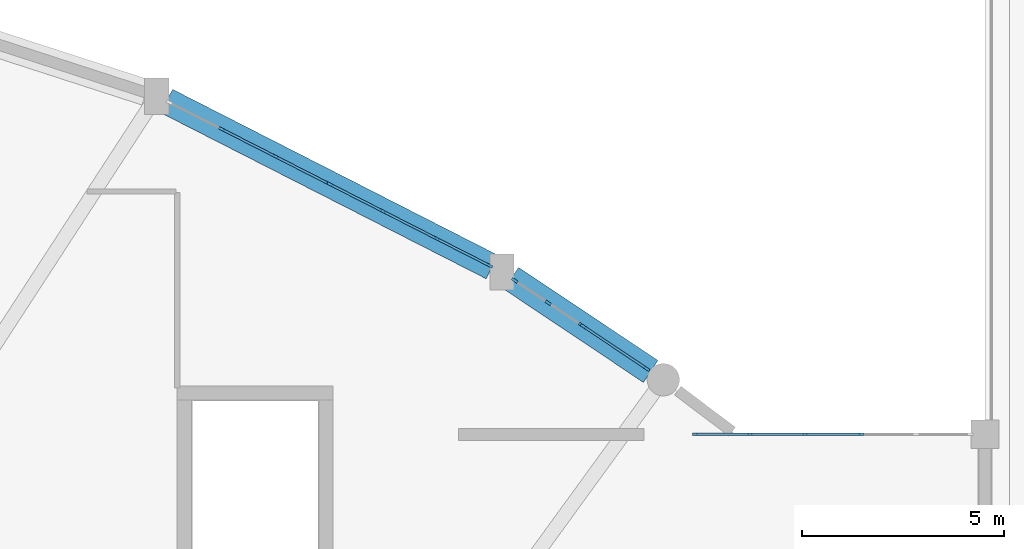
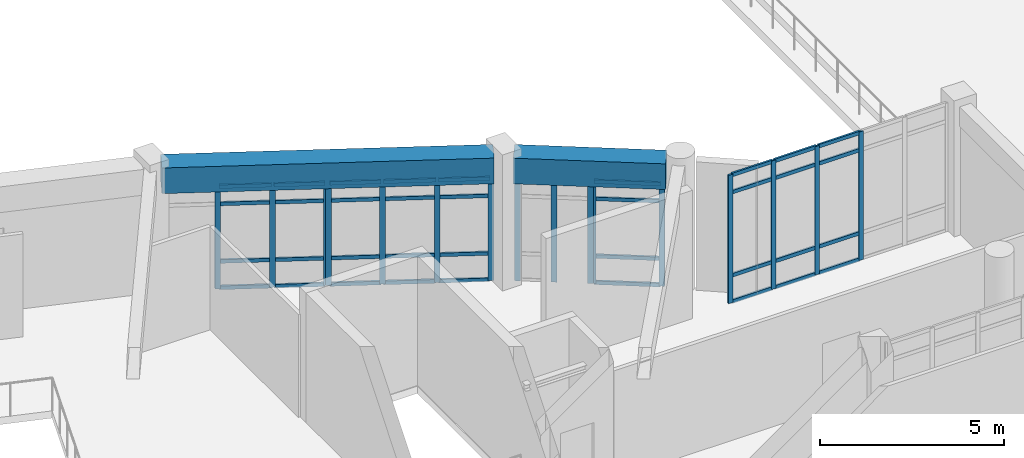
# One storey, part 19 of 54: 52 members, 2 beams, 5 elements without a shape of their own.
"""IFC4 building model written with IfcOpenShell, lengths in metres."""

from ifc_helpers import new_model, si_unit, direction, frame, origin, origin_2d, place, context, subcontext, project, spatial, rectangle, extrude, material, layer, layer_set, material_profile, profile_set, type_object, element, aggregate, save


model = new_model("IFC4")

# Units and contexts
model_context = context("Model", 3, precision=1e-05, world=origin(), true_north=direction((0.0, 1.0)))
body_context = subcontext(model_context, "Body", "Model", "MODEL_VIEW")
ifc_project = project(units=[si_unit("LENGTHUNIT", "METRE"), si_unit("AREAUNIT", "SQUARE_METRE"), si_unit("VOLUMEUNIT", "CUBIC_METRE"), si_unit("PLANEANGLEUNIT", "RADIAN"), si_unit("MASSUNIT", "GRAM", prefix="KILO")], contexts=[model_context])

# Site, building, storey
site_placement = place(None, origin())
site = spatial("IfcSite", under=ifc_project, at=site_placement, CompositionType="ELEMENT")
building_placement = place(site_placement, origin())
building = spatial("IfcBuilding", under=site, at=building_placement, Name="Miralva Faculty of Natural Sciences", CompositionType="ELEMENT")
storey_placement = place(building_placement, frame((0.0, 0.0, 19.5)))
storey = spatial("IfcBuildingStorey", under=building, at=storey_placement, Name="L04", CompositionType="ELEMENT", Elevation=19.5)

# Beams
ifc_material_1 = material(Name="Concrete C40/50", Category="concrete")
ifc_material_profile_1 = material_profile(ifc_material_1, rectangle(XDim=0.64990234375, YDim=0.85009765625, at=origin_2d()), Name="RC 650x850")
ifc_profile_set_1 = profile_set([ifc_material_profile_1], Name="Concrete C40/50")
beam_type = type_object("IfcBeamType", Name="BM-SP03", PredefinedType="SPANDREL", material=ifc_profile_set_1)
beam_1_placement = place(storey_placement, frame((125.5439453125, 28.554443359375, 3.8349609375), z_axis=(-0.831378794944, 0.555706126759, 0.0), x_axis=(-0.555706126759, -0.831378794944, 0.0)))
element("IfcBeam", 1, at=beam_1_placement, inside=storey, type_object=beam_type, Name="Curved chord girder SHOUT L04-1", PredefinedType="SPANDREL", context=body_context, shape_type="SweptSolid", body=[
    extrude(rectangle(XDim=0.64990234375, YDim=0.85009765625, at=origin_2d()), origin(), (0.0, 0.0, 1.0), 4.142822265625),
])
beam_2_placement = place(storey_placement, frame((121.6240234375, 31.135498046875, 3.8349609375), z_axis=(-0.890849035396, 0.454299456454, 0.0), x_axis=(-0.454299456454, -0.890849035396, 0.0)))
element("IfcBeam", 2, at=beam_2_placement, inside=storey, type_object=beam_type, Name="Curved chord girder SHOUT L04-2", PredefinedType="SPANDREL", context=body_context, shape_type="SweptSolid", body=[
    extrude(rectangle(XDim=0.64990234375, YDim=0.85009765625, at=origin_2d()), origin(), (0.0, 0.0, 1.0), 9.02294921875),
])

# Curtain wall, members
ifc_material_2 = material(Name="Laminated solar-control glass", Category="glass")
ifc_layer_1 = layer(ifc_material_2, 0.179931640625, Name="CW-ARC-L03")
ifc_layer_set_1 = layer_set([ifc_layer_1], Name="Laminated solar-control glass")
curtain_wall_type_1 = type_object("IfcCurtainWallType", Name="CW-ARC-L03", PredefinedType="USERDEFINED", material=ifc_layer_set_1)
curtain_wall_1_placement = place(storey_placement, origin())
curtain_wall_1 = element("IfcCurtainWall", 3, at=curtain_wall_1_placement, inside=storey, type_object=curtain_wall_type_1, Name="Curtain wall CW-03 L04-185", ObjectType="UNITISED CURTAIN WALL", PredefinedType="USERDEFINED")
ifc_material_3 = material(Name="Anodised aluminium", Category="aluminium")
ifc_material_profile_2 = material_profile(ifc_material_3, rectangle(XDim=0.06494140625, YDim=0.159912109375, at=origin_2d()), Name="MULLION 65x160")
ifc_profile_set_2 = profile_set([ifc_material_profile_2], Name="Anodised aluminium")
member_type_1 = type_object("IfcMemberType", Name="CW-M02", PredefinedType="MULLION", material=ifc_profile_set_2)
member_1_placement = place(storey_placement, frame((114.952392578125, 34.537109375, 0.0), z_axis=(0.0, 0.0, 1.0), x_axis=(0.453973358631, 0.891015257812, 0.0)))
member_1 = element("IfcMember", 4, at=member_1_placement, type_object=member_type_1, Name="CW-03 mullion 2", PredefinedType="MULLION", context=body_context, shape_type="SweptSolid", body=[
    extrude(rectangle(XDim=0.06494140625, YDim=0.159912109375, at=origin_2d()), origin(), (0.0, 0.0, 1.0), 3.405029296875),
])
member_2_placement = place(storey_placement, frame((116.2802734375, 33.8603515625, 0.0), z_axis=(0.0, 0.0, 1.0), x_axis=(0.453973358631, 0.891015257812, 0.0)))
member_2 = element("IfcMember", 5, at=member_2_placement, type_object=member_type_1, Name="CW-03 mullion 3", PredefinedType="MULLION", context=body_context, shape_type="SweptSolid", body=[
    extrude(rectangle(XDim=0.06494140625, YDim=0.159912109375, at=origin_2d()), origin(), (0.0, 0.0, 1.0), 3.405029296875),
])
member_3_placement = place(storey_placement, frame((117.5791015625, 33.19873046875, 0.0), z_axis=(0.0, 0.0, 1.0), x_axis=(0.453973358631, 0.891015257812, 0.0)))
member_3 = element("IfcMember", 6, at=member_3_placement, type_object=member_type_1, Name="CW-03 mullion 4", PredefinedType="MULLION", context=body_context, shape_type="SweptSolid", body=[
    extrude(rectangle(XDim=0.06494140625, YDim=0.159912109375, at=origin_2d()), origin(), (0.0, 0.0, 1.0), 3.405029296875),
])

curtain_wall_2_placement = place(storey_placement, origin())
curtain_wall_2 = element("IfcCurtainWall", 7, at=curtain_wall_2_placement, inside=storey, type_object=curtain_wall_type_1, Name="Curtain wall CW-03 L04-186", ObjectType="UNITISED CURTAIN WALL", PredefinedType="USERDEFINED")
member_4_placement = place(storey_placement, frame((117.632568359375, 33.17138671875, 0.0), z_axis=(0.0, 0.0, 1.0), x_axis=(0.454001417532, 0.891000961211, 0.0)))
member_4 = element("IfcMember", 8, at=member_4_placement, type_object=member_type_1, Name="CW-03 mullion 1", PredefinedType="MULLION", context=body_context, shape_type="SweptSolid", body=[
    extrude(rectangle(XDim=0.06494140625, YDim=0.159912109375, at=origin_2d()), origin(), (0.0, 0.0, 1.0), 3.405029296875),
])
member_5_placement = place(storey_placement, frame((118.932861328125, 32.5087890625, 0.0), z_axis=(0.0, 0.0, 1.0), x_axis=(0.454001417532, 0.891000961211, 0.0)))
member_5 = element("IfcMember", 9, at=member_5_placement, type_object=member_type_1, Name="CW-03 mullion 2", PredefinedType="MULLION", context=body_context, shape_type="SweptSolid", body=[
    extrude(rectangle(XDim=0.06494140625, YDim=0.159912109375, at=origin_2d()), origin(), (0.0, 0.0, 1.0), 3.405029296875),
])
member_6_placement = place(storey_placement, frame((120.262451171875, 31.83154296875, 0.0), z_axis=(0.0, 0.0, 1.0), x_axis=(0.454001417532, 0.891000961211, 0.0)))
member_6 = element("IfcMember", 10, at=member_6_placement, type_object=member_type_1, Name="CW-03 mullion 3", PredefinedType="MULLION", context=body_context, shape_type="SweptSolid", body=[
    extrude(rectangle(XDim=0.06494140625, YDim=0.159912109375, at=origin_2d()), origin(), (0.0, 0.0, 1.0), 3.405029296875),
])
member_7_placement = place(storey_placement, frame((121.562744140625, 31.1689453125, 0.0), z_axis=(0.0, 0.0, 1.0), x_axis=(0.454001417532, 0.891000961211, 0.0)))
member_7 = element("IfcMember", 11, at=member_7_placement, type_object=member_type_1, Name="CW-03 mullion 4", PredefinedType="MULLION", context=body_context, shape_type="SweptSolid", body=[
    extrude(rectangle(XDim=0.06494140625, YDim=0.159912109375, at=origin_2d()), origin(), (0.0, 0.0, 1.0), 3.405029296875),
])

curtain_wall_3_placement = place(storey_placement, origin())
curtain_wall_3 = element("IfcCurtainWall", 12, at=curtain_wall_3_placement, inside=storey, type_object=curtain_wall_type_1, Name="Curtain wall CW-03 L04-187", ObjectType="UNITISED CURTAIN WALL", PredefinedType="USERDEFINED")
member_8_placement = place(storey_placement, frame((122.186279296875, 30.80126953125, 0.0), z_axis=(0.0, 0.0, 1.0), x_axis=(0.555589230409, 0.831456918339, 0.0)))
member_8 = element("IfcMember", 13, at=member_8_placement, type_object=member_type_1, Name="CW-03 mullion 1", PredefinedType="MULLION", context=body_context, shape_type="SweptSolid", body=[
    extrude(rectangle(XDim=0.06494140625, YDim=0.159912109375, at=origin_2d()), origin(), (0.0, 0.0, 1.0), 3.405029296875),
])
member_9_placement = place(storey_placement, frame((123.011474609375, 30.25, 0.0), z_axis=(0.0, 0.0, 1.0), x_axis=(0.555589230409, 0.831456918339, 0.0)))
member_9 = element("IfcMember", 14, at=member_9_placement, type_object=member_type_1, Name="CW-03 mullion 2", PredefinedType="MULLION", context=body_context, shape_type="SweptSolid", body=[
    extrude(rectangle(XDim=0.06494140625, YDim=0.159912109375, at=origin_2d()), origin(), (0.0, 0.0, 1.0), 3.405029296875),
])
member_10_placement = place(storey_placement, frame((123.836669921875, 29.698486328125, 0.0), z_axis=(0.0, 0.0, 1.0), x_axis=(0.555589230409, 0.831456918339, 0.0)))
member_10 = element("IfcMember", 15, at=member_10_placement, type_object=member_type_1, Name="CW-03 mullion 3", PredefinedType="MULLION", context=body_context, shape_type="SweptSolid", body=[
    extrude(rectangle(XDim=0.06494140625, YDim=0.159912109375, at=origin_2d()), origin(), (0.0, 0.0, 1.0), 3.405029296875),
])
aggregate(curtain_wall_3, [member_8, member_9, member_10])

curtain_wall_4_placement = place(storey_placement, origin())
curtain_wall_4 = element("IfcCurtainWall", 16, at=curtain_wall_4_placement, inside=storey, type_object=curtain_wall_type_1, Name="Curtain wall CW-03 L04-188", ObjectType="UNITISED CURTAIN WALL", PredefinedType="USERDEFINED")
member_11_placement = place(storey_placement, frame((123.886474609375, 29.665283203125, 0.0), z_axis=(0.0, 0.0, 1.0), x_axis=(0.555546724404, 0.831485319776, 0.0)))
member_11 = element("IfcMember", 17, at=member_11_placement, type_object=member_type_1, Name="CW-03 mullion 1", PredefinedType="MULLION", context=body_context, shape_type="SweptSolid", body=[
    extrude(rectangle(XDim=0.06494140625, YDim=0.159912109375, at=origin_2d()), origin(), (0.0, 0.0, 1.0), 3.405029296875),
])
member_12_placement = place(storey_placement, frame((125.441162109375, 28.62646484375, 0.0), z_axis=(0.0, 0.0, 1.0), x_axis=(0.555546724404, 0.831485319776, 0.0)))
member_12 = element("IfcMember", 18, at=member_12_placement, type_object=member_type_1, Name="CW-03 mullion 2", PredefinedType="MULLION", context=body_context, shape_type="SweptSolid", body=[
    extrude(rectangle(XDim=0.06494140625, YDim=0.159912109375, at=origin_2d()), origin(), (0.0, 0.0, 1.0), 3.405029296875),
])

ifc_layer_2 = layer(ifc_material_2, 0.179931640625, Name="CW-COM-L01")
ifc_layer_set_2 = layer_set([ifc_layer_2], Name="Laminated solar-control glass")
curtain_wall_type_2 = type_object("IfcCurtainWallType", Name="CW-COM-L01", PredefinedType="USERDEFINED", material=ifc_layer_set_2)
curtain_wall_5_placement = place(storey_placement, origin())
curtain_wall_5 = element("IfcCurtainWall", 19, at=curtain_wall_5_placement, inside=storey, type_object=curtain_wall_type_2, Name="Curtain wall CW-10 L04-311", ObjectType="UNITISED CURTAIN WALL", PredefinedType="USERDEFINED")
ifc_material_profile_3 = material_profile(ifc_material_3, rectangle(XDim=0.06005859375, YDim=0.139892578125, at=origin_2d()), Name="MULLION 60x140")
ifc_profile_set_3 = profile_set([ifc_material_profile_3], Name="Anodised aluminium")
member_type_2 = type_object("IfcMemberType", Name="CW-M03", PredefinedType="MULLION", material=ifc_profile_set_3)
member_13_placement = place(storey_placement, frame((126.64990234375, 27.0, 0.0), z_axis=(0.0, 0.0, 1.0), x_axis=(0.0, 1.0, 0.0)))
member_13 = element("IfcMember", 20, at=member_13_placement, type_object=member_type_2, Name="CW-10 mullion 1", PredefinedType="MULLION", context=body_context, shape_type="SweptSolid", body=[
    extrude(rectangle(XDim=0.06005859375, YDim=0.139892578125, at=origin_2d()), origin(), (0.0, 0.0, 1.0), 4.25),
])
member_14_placement = place(storey_placement, frame((127.989013671875, 27.0, 0.0), z_axis=(0.0, 0.0, 1.0), x_axis=(0.0, 1.0, 0.0)))
member_14 = element("IfcMember", 21, at=member_14_placement, type_object=member_type_2, Name="CW-10 mullion 2", PredefinedType="MULLION", context=body_context, shape_type="SweptSolid", body=[
    extrude(rectangle(XDim=0.06005859375, YDim=0.139892578125, at=origin_2d()), origin(), (0.0, 0.0, 1.0), 4.25),
])
member_15_placement = place(storey_placement, frame((129.35791015625, 27.0, 0.0), z_axis=(0.0, 0.0, 1.0), x_axis=(0.0, 1.0, 0.0)))
member_15 = element("IfcMember", 22, at=member_15_placement, type_object=member_type_2, Name="CW-10 mullion 3", PredefinedType="MULLION", context=body_context, shape_type="SweptSolid", body=[
    extrude(rectangle(XDim=0.06005859375, YDim=0.139892578125, at=origin_2d()), origin(), (0.0, 0.0, 1.0), 4.25),
])
member_16_placement = place(storey_placement, frame((130.72705078125, 27.0, 0.0), z_axis=(0.0, 0.0, 1.0), x_axis=(0.0, 1.0, 0.0)))
member_16 = element("IfcMember", 23, at=member_16_placement, type_object=member_type_2, Name="CW-10 mullion 4", PredefinedType="MULLION", context=body_context, shape_type="SweptSolid", body=[
    extrude(rectangle(XDim=0.06005859375, YDim=0.139892578125, at=origin_2d()), origin(), (0.0, 0.0, 1.0), 4.25),
])

# Member
ifc_material_profile_4 = material_profile(ifc_material_3, rectangle(XDim=0.06005859375, YDim=0.1201171875, at=origin_2d()), Name="TRANSOM 60x120")
ifc_profile_set_4 = profile_set([ifc_material_profile_4], Name="Anodised aluminium")
member_type_3 = type_object("IfcMemberType", Name="CW-T02", PredefinedType="USERDEFINED", material=ifc_profile_set_4)
member_17_placement = place(storey_placement, frame((114.981201171875, 34.522216796875, 0.030029296875), z_axis=(0.891044725517, -0.453915517612, 0.0), x_axis=(0.453915517612, 0.891044725517, 0.0)))
member_17 = element("IfcMember", 24, at=member_17_placement, type_object=member_type_3, Name="CW-03 transom 2.1", ObjectType="TRANSOM", PredefinedType="USERDEFINED", context=body_context, shape_type="SweptSolid", body=[
    extrude(rectangle(XDim=0.06005859375, YDim=0.1201171875, at=origin_2d()), origin(), (0.0, 0.0, 1.0), 1.42529296875),
])

member_18_placement = place(storey_placement, frame((114.981201171875, 34.522216796875, 0.89990234375), z_axis=(0.891044725517, -0.453915517612, 0.0), x_axis=(0.453915517612, 0.891044725517, 0.0)))
member_18 = element("IfcMember", 25, at=member_18_placement, type_object=member_type_3, Name="CW-03 transom 2.2", ObjectType="TRANSOM", PredefinedType="USERDEFINED", context=body_context, shape_type="SweptSolid", body=[
    extrude(rectangle(XDim=0.06005859375, YDim=0.1201171875, at=origin_2d()), origin(), (0.0, 0.0, 1.0), 1.42529296875),
])

member_19_placement = place(storey_placement, frame((114.981201171875, 34.522216796875, 2.804931640625), z_axis=(0.891044725517, -0.453915517612, 0.0), x_axis=(0.453915517612, 0.891044725517, 0.0)))
member_19 = element("IfcMember", 26, at=member_19_placement, type_object=member_type_3, Name="CW-03 transom 2.3", ObjectType="TRANSOM", PredefinedType="USERDEFINED", context=body_context, shape_type="SweptSolid", body=[
    extrude(rectangle(XDim=0.06005859375, YDim=0.1201171875, at=origin_2d()), origin(), (0.0, 0.0, 1.0), 1.42529296875),
])

member_20_placement = place(storey_placement, frame((114.981201171875, 34.522216796875, 3.375), z_axis=(0.891044725517, -0.453915517612, 0.0), x_axis=(0.453915517612, 0.891044725517, 0.0)))
member_20 = element("IfcMember", 27, at=member_20_placement, type_object=member_type_3, Name="CW-03 transom 2.4", ObjectType="TRANSOM", PredefinedType="USERDEFINED", context=body_context, shape_type="SweptSolid", body=[
    extrude(rectangle(XDim=0.06005859375, YDim=0.1201171875, at=origin_2d()), origin(), (0.0, 0.0, 1.0), 1.42529296875),
])

member_21_placement = place(storey_placement, frame((116.30908203125, 33.845703125, 0.030029296875), z_axis=(0.89103682183, -0.453931032364, 0.0), x_axis=(0.453931032364, 0.89103682183, 0.0)))
member_21 = element("IfcMember", 28, at=member_21_placement, type_object=member_type_3, Name="CW-03 transom 3.1", ObjectType="TRANSOM", PredefinedType="USERDEFINED", context=body_context, shape_type="SweptSolid", body=[
    extrude(rectangle(XDim=0.06005859375, YDim=0.1201171875, at=origin_2d()), origin(), (0.0, 0.0, 1.0), 1.39306640625),
])

member_22_placement = place(storey_placement, frame((116.30908203125, 33.845703125, 0.89990234375), z_axis=(0.89103682183, -0.453931032364, 0.0), x_axis=(0.453931032364, 0.89103682183, 0.0)))
member_22 = element("IfcMember", 29, at=member_22_placement, type_object=member_type_3, Name="CW-03 transom 3.2", ObjectType="TRANSOM", PredefinedType="USERDEFINED", context=body_context, shape_type="SweptSolid", body=[
    extrude(rectangle(XDim=0.06005859375, YDim=0.1201171875, at=origin_2d()), origin(), (0.0, 0.0, 1.0), 1.39306640625),
])

member_23_placement = place(storey_placement, frame((116.30908203125, 33.845703125, 2.804931640625), z_axis=(0.89103682183, -0.453931032364, 0.0), x_axis=(0.453931032364, 0.89103682183, 0.0)))
member_23 = element("IfcMember", 30, at=member_23_placement, type_object=member_type_3, Name="CW-03 transom 3.3", ObjectType="TRANSOM", PredefinedType="USERDEFINED", context=body_context, shape_type="SweptSolid", body=[
    extrude(rectangle(XDim=0.06005859375, YDim=0.1201171875, at=origin_2d()), origin(), (0.0, 0.0, 1.0), 1.39306640625),
])

member_24_placement = place(storey_placement, frame((116.30908203125, 33.845703125, 3.375), z_axis=(0.89103682183, -0.453931032364, 0.0), x_axis=(0.453931032364, 0.89103682183, 0.0)))
member_24 = element("IfcMember", 31, at=member_24_placement, type_object=member_type_3, Name="CW-03 transom 3.4", ObjectType="TRANSOM", PredefinedType="USERDEFINED", context=body_context, shape_type="SweptSolid", body=[
    extrude(rectangle(XDim=0.06005859375, YDim=0.1201171875, at=origin_2d()), origin(), (0.0, 0.0, 1.0), 1.39306640625),
])

aggregate(curtain_wall_1, [member_1, member_2, member_3, member_17, member_18, member_19, member_20, member_21, member_22, member_23, member_24])

member_25_placement = place(storey_placement, frame((117.66162109375, 33.15673828125, 0.030029296875), z_axis=(0.891004754487, -0.453993972958, 0.0), x_axis=(0.453993972958, 0.891004754487, 0.0)))
member_25 = element("IfcMember", 32, at=member_25_placement, type_object=member_type_3, Name="CW-03 transom 1.1", ObjectType="TRANSOM", PredefinedType="USERDEFINED", context=body_context, shape_type="SweptSolid", body=[
    extrude(rectangle(XDim=0.06005859375, YDim=0.1201171875, at=origin_2d()), origin(), (0.0, 0.0, 1.0), 1.39453125),
])

member_26_placement = place(storey_placement, frame((117.66162109375, 33.15673828125, 0.89990234375), z_axis=(0.891004754487, -0.453993972958, 0.0), x_axis=(0.453993972958, 0.891004754487, 0.0)))
member_26 = element("IfcMember", 33, at=member_26_placement, type_object=member_type_3, Name="CW-03 transom 1.2", ObjectType="TRANSOM", PredefinedType="USERDEFINED", context=body_context, shape_type="SweptSolid", body=[
    extrude(rectangle(XDim=0.06005859375, YDim=0.1201171875, at=origin_2d()), origin(), (0.0, 0.0, 1.0), 1.39453125),
])

member_27_placement = place(storey_placement, frame((117.66162109375, 33.15673828125, 2.804931640625), z_axis=(0.891004754487, -0.453993972958, 0.0), x_axis=(0.453993972958, 0.891004754487, 0.0)))
member_27 = element("IfcMember", 34, at=member_27_placement, type_object=member_type_3, Name="CW-03 transom 1.3", ObjectType="TRANSOM", PredefinedType="USERDEFINED", context=body_context, shape_type="SweptSolid", body=[
    extrude(rectangle(XDim=0.06005859375, YDim=0.1201171875, at=origin_2d()), origin(), (0.0, 0.0, 1.0), 1.39453125),
])

member_28_placement = place(storey_placement, frame((117.66162109375, 33.15673828125, 3.375), z_axis=(0.891004754487, -0.453993972958, 0.0), x_axis=(0.453993972958, 0.891004754487, 0.0)))
member_28 = element("IfcMember", 35, at=member_28_placement, type_object=member_type_3, Name="CW-03 transom 1.4", ObjectType="TRANSOM", PredefinedType="USERDEFINED", context=body_context, shape_type="SweptSolid", body=[
    extrude(rectangle(XDim=0.06005859375, YDim=0.1201171875, at=origin_2d()), origin(), (0.0, 0.0, 1.0), 1.39453125),
])

member_29_placement = place(storey_placement, frame((118.9619140625, 32.494140625, 0.030029296875), z_axis=(0.890979432498, -0.454043666254, 0.0), x_axis=(0.454043666254, 0.890979432498, 0.0)))
member_29 = element("IfcMember", 36, at=member_29_placement, type_object=member_type_3, Name="CW-03 transom 2.1", ObjectType="TRANSOM", PredefinedType="USERDEFINED", context=body_context, shape_type="SweptSolid", body=[
    extrude(rectangle(XDim=0.06005859375, YDim=0.1201171875, at=origin_2d()), origin(), (0.0, 0.0, 1.0), 1.427001953125),
])

member_30_placement = place(storey_placement, frame((118.9619140625, 32.494140625, 0.89990234375), z_axis=(0.890979432498, -0.454043666254, 0.0), x_axis=(0.454043666254, 0.890979432498, 0.0)))
member_30 = element("IfcMember", 37, at=member_30_placement, type_object=member_type_3, Name="CW-03 transom 2.2", ObjectType="TRANSOM", PredefinedType="USERDEFINED", context=body_context, shape_type="SweptSolid", body=[
    extrude(rectangle(XDim=0.06005859375, YDim=0.1201171875, at=origin_2d()), origin(), (0.0, 0.0, 1.0), 1.427001953125),
])

member_31_placement = place(storey_placement, frame((118.9619140625, 32.494140625, 2.804931640625), z_axis=(0.890979432498, -0.454043666254, 0.0), x_axis=(0.454043666254, 0.890979432498, 0.0)))
member_31 = element("IfcMember", 38, at=member_31_placement, type_object=member_type_3, Name="CW-03 transom 2.3", ObjectType="TRANSOM", PredefinedType="USERDEFINED", context=body_context, shape_type="SweptSolid", body=[
    extrude(rectangle(XDim=0.06005859375, YDim=0.1201171875, at=origin_2d()), origin(), (0.0, 0.0, 1.0), 1.427001953125),
])

member_32_placement = place(storey_placement, frame((118.9619140625, 32.494140625, 3.375), z_axis=(0.890979432498, -0.454043666254, 0.0), x_axis=(0.454043666254, 0.890979432498, 0.0)))
member_32 = element("IfcMember", 39, at=member_32_placement, type_object=member_type_3, Name="CW-03 transom 2.4", ObjectType="TRANSOM", PredefinedType="USERDEFINED", context=body_context, shape_type="SweptSolid", body=[
    extrude(rectangle(XDim=0.06005859375, YDim=0.1201171875, at=origin_2d()), origin(), (0.0, 0.0, 1.0), 1.427001953125),
])

member_33_placement = place(storey_placement, frame((120.291259765625, 31.816650390625, 0.030029296875), z_axis=(0.891004754487, -0.453993972958, 0.0), x_axis=(0.453993972958, 0.891004754487, 0.0)))
member_33 = element("IfcMember", 40, at=member_33_placement, type_object=member_type_3, Name="CW-03 transom 3.1", ObjectType="TRANSOM", PredefinedType="USERDEFINED", context=body_context, shape_type="SweptSolid", body=[
    extrude(rectangle(XDim=0.06005859375, YDim=0.1201171875, at=origin_2d()), origin(), (0.0, 0.0, 1.0), 1.39453125),
])

member_34_placement = place(storey_placement, frame((120.291259765625, 31.816650390625, 0.89990234375), z_axis=(0.891004754487, -0.453993972958, 0.0), x_axis=(0.453993972958, 0.891004754487, 0.0)))
member_34 = element("IfcMember", 41, at=member_34_placement, type_object=member_type_3, Name="CW-03 transom 3.2", ObjectType="TRANSOM", PredefinedType="USERDEFINED", context=body_context, shape_type="SweptSolid", body=[
    extrude(rectangle(XDim=0.06005859375, YDim=0.1201171875, at=origin_2d()), origin(), (0.0, 0.0, 1.0), 1.39453125),
])

member_35_placement = place(storey_placement, frame((120.291259765625, 31.816650390625, 2.804931640625), z_axis=(0.891004754487, -0.453993972958, 0.0), x_axis=(0.453993972958, 0.891004754487, 0.0)))
member_35 = element("IfcMember", 42, at=member_35_placement, type_object=member_type_3, Name="CW-03 transom 3.3", ObjectType="TRANSOM", PredefinedType="USERDEFINED", context=body_context, shape_type="SweptSolid", body=[
    extrude(rectangle(XDim=0.06005859375, YDim=0.1201171875, at=origin_2d()), origin(), (0.0, 0.0, 1.0), 1.39453125),
])

member_36_placement = place(storey_placement, frame((120.291259765625, 31.816650390625, 3.375), z_axis=(0.891004754487, -0.453993972958, 0.0), x_axis=(0.453993972958, 0.891004754487, 0.0)))
member_36 = element("IfcMember", 43, at=member_36_placement, type_object=member_type_3, Name="CW-03 transom 3.4", ObjectType="TRANSOM", PredefinedType="USERDEFINED", context=body_context, shape_type="SweptSolid", body=[
    extrude(rectangle(XDim=0.06005859375, YDim=0.1201171875, at=origin_2d()), origin(), (0.0, 0.0, 1.0), 1.39453125),
])

aggregate(curtain_wall_2, [member_4, member_5, member_6, member_7, member_25, member_26, member_27, member_28, member_29, member_30, member_31, member_32, member_33, member_34, member_35, member_36])

member_37_placement = place(storey_placement, frame((123.91357421875, 29.647216796875, 0.030029296875), z_axis=(0.831487987991, -0.555542730874, 0.0), x_axis=(0.555542730874, 0.831487987991, 0.0)))
member_37 = element("IfcMember", 44, at=member_37_placement, type_object=member_type_3, Name="CW-03 transom 1.1", ObjectType="TRANSOM", PredefinedType="USERDEFINED", context=body_context, shape_type="SweptSolid", body=[
    extrude(rectangle(XDim=0.06005859375, YDim=0.1201171875, at=origin_2d()), origin(), (0.0, 0.0, 1.0), 1.804931640625),
])

member_38_placement = place(storey_placement, frame((123.91357421875, 29.647216796875, 0.89990234375), z_axis=(0.831487987991, -0.555542730874, 0.0), x_axis=(0.555542730874, 0.831487987991, 0.0)))
member_38 = element("IfcMember", 45, at=member_38_placement, type_object=member_type_3, Name="CW-03 transom 1.2", ObjectType="TRANSOM", PredefinedType="USERDEFINED", context=body_context, shape_type="SweptSolid", body=[
    extrude(rectangle(XDim=0.06005859375, YDim=0.1201171875, at=origin_2d()), origin(), (0.0, 0.0, 1.0), 1.804931640625),
])

member_39_placement = place(storey_placement, frame((123.91357421875, 29.647216796875, 2.804931640625), z_axis=(0.831487987991, -0.555542730874, 0.0), x_axis=(0.555542730874, 0.831487987991, 0.0)))
member_39 = element("IfcMember", 46, at=member_39_placement, type_object=member_type_3, Name="CW-03 transom 1.3", ObjectType="TRANSOM", PredefinedType="USERDEFINED", context=body_context, shape_type="SweptSolid", body=[
    extrude(rectangle(XDim=0.06005859375, YDim=0.1201171875, at=origin_2d()), origin(), (0.0, 0.0, 1.0), 1.804931640625),
])

member_40_placement = place(storey_placement, frame((123.91357421875, 29.647216796875, 3.375), z_axis=(0.831487987991, -0.555542730874, 0.0), x_axis=(0.555542730874, 0.831487987991, 0.0)))
member_40 = element("IfcMember", 47, at=member_40_placement, type_object=member_type_3, Name="CW-03 transom 1.4", ObjectType="TRANSOM", PredefinedType="USERDEFINED", context=body_context, shape_type="SweptSolid", body=[
    extrude(rectangle(XDim=0.06005859375, YDim=0.1201171875, at=origin_2d()), origin(), (0.0, 0.0, 1.0), 1.804931640625),
])

aggregate(curtain_wall_4, [member_11, member_12, member_37, member_38, member_39, member_40])

member_41_placement = place(storey_placement, frame((126.679931640625, 27.0, 0.030029296875), z_axis=(1.0, 0.0, 0.0), x_axis=(0.0, 1.0, 0.0)))
member_41 = element("IfcMember", 48, at=member_41_placement, type_object=member_type_3, Name="CW-10 transom 1.1", ObjectType="TRANSOM", PredefinedType="USERDEFINED", context=body_context, shape_type="SweptSolid", body=[
    extrude(rectangle(XDim=0.06005859375, YDim=0.1201171875, at=origin_2d()), origin(), (0.0, 0.0, 1.0), 1.279052734375),
])

member_42_placement = place(storey_placement, frame((126.679931640625, 27.0, 0.89990234375), z_axis=(1.0, 0.0, 0.0), x_axis=(0.0, 1.0, 0.0)))
member_42 = element("IfcMember", 49, at=member_42_placement, type_object=member_type_3, Name="CW-10 transom 1.2", ObjectType="TRANSOM", PredefinedType="USERDEFINED", context=body_context, shape_type="SweptSolid", body=[
    extrude(rectangle(XDim=0.06005859375, YDim=0.1201171875, at=origin_2d()), origin(), (0.0, 0.0, 1.0), 1.279052734375),
])

member_43_placement = place(storey_placement, frame((126.679931640625, 27.0, 3.64990234375), z_axis=(1.0, 0.0, 0.0), x_axis=(0.0, 1.0, 0.0)))
member_43 = element("IfcMember", 50, at=member_43_placement, type_object=member_type_3, Name="CW-10 transom 1.3", ObjectType="TRANSOM", PredefinedType="USERDEFINED", context=body_context, shape_type="SweptSolid", body=[
    extrude(rectangle(XDim=0.06005859375, YDim=0.1201171875, at=origin_2d()), origin(), (0.0, 0.0, 1.0), 1.279052734375),
])

member_44_placement = place(storey_placement, frame((126.679931640625, 27.0, 4.219970703125), z_axis=(1.0, 0.0, 0.0), x_axis=(0.0, 1.0, 0.0)))
member_44 = element("IfcMember", 51, at=member_44_placement, type_object=member_type_3, Name="CW-10 transom 1.4", ObjectType="TRANSOM", PredefinedType="USERDEFINED", context=body_context, shape_type="SweptSolid", body=[
    extrude(rectangle(XDim=0.06005859375, YDim=0.1201171875, at=origin_2d()), origin(), (0.0, 0.0, 1.0), 1.279052734375),
])

member_45_placement = place(storey_placement, frame((128.01904296875, 27.0, 0.030029296875), z_axis=(1.0, 0.0, 0.0), x_axis=(0.0, 1.0, 0.0)))
member_45 = element("IfcMember", 52, at=member_45_placement, type_object=member_type_3, Name="CW-10 transom 2.1", ObjectType="TRANSOM", PredefinedType="USERDEFINED", context=body_context, shape_type="SweptSolid", body=[
    extrude(rectangle(XDim=0.06005859375, YDim=0.1201171875, at=origin_2d()), origin(), (0.0, 0.0, 1.0), 1.308837890625),
])

member_46_placement = place(storey_placement, frame((128.01904296875, 27.0, 0.89990234375), z_axis=(1.0, 0.0, 0.0), x_axis=(0.0, 1.0, 0.0)))
member_46 = element("IfcMember", 53, at=member_46_placement, type_object=member_type_3, Name="CW-10 transom 2.2", ObjectType="TRANSOM", PredefinedType="USERDEFINED", context=body_context, shape_type="SweptSolid", body=[
    extrude(rectangle(XDim=0.06005859375, YDim=0.1201171875, at=origin_2d()), origin(), (0.0, 0.0, 1.0), 1.308837890625),
])

member_47_placement = place(storey_placement, frame((128.01904296875, 27.0, 3.64990234375), z_axis=(1.0, 0.0, 0.0), x_axis=(0.0, 1.0, 0.0)))
member_47 = element("IfcMember", 54, at=member_47_placement, type_object=member_type_3, Name="CW-10 transom 2.3", ObjectType="TRANSOM", PredefinedType="USERDEFINED", context=body_context, shape_type="SweptSolid", body=[
    extrude(rectangle(XDim=0.06005859375, YDim=0.1201171875, at=origin_2d()), origin(), (0.0, 0.0, 1.0), 1.308837890625),
])

member_48_placement = place(storey_placement, frame((128.01904296875, 27.0, 4.219970703125), z_axis=(1.0, 0.0, 0.0), x_axis=(0.0, 1.0, 0.0)))
member_48 = element("IfcMember", 55, at=member_48_placement, type_object=member_type_3, Name="CW-10 transom 2.4", ObjectType="TRANSOM", PredefinedType="USERDEFINED", context=body_context, shape_type="SweptSolid", body=[
    extrude(rectangle(XDim=0.06005859375, YDim=0.1201171875, at=origin_2d()), origin(), (0.0, 0.0, 1.0), 1.308837890625),
])

member_49_placement = place(storey_placement, frame((129.387939453125, 27.0, 0.030029296875), z_axis=(1.0, 0.0, 0.0), x_axis=(0.0, 1.0, 0.0)))
member_49 = element("IfcMember", 56, at=member_49_placement, type_object=member_type_3, Name="CW-10 transom 3.1", ObjectType="TRANSOM", PredefinedType="USERDEFINED", context=body_context, shape_type="SweptSolid", body=[
    extrude(rectangle(XDim=0.06005859375, YDim=0.1201171875, at=origin_2d()), origin(), (0.0, 0.0, 1.0), 1.30908203125),
])

member_50_placement = place(storey_placement, frame((129.387939453125, 27.0, 0.89990234375), z_axis=(1.0, 0.0, 0.0), x_axis=(0.0, 1.0, 0.0)))
member_50 = element("IfcMember", 57, at=member_50_placement, type_object=member_type_3, Name="CW-10 transom 3.2", ObjectType="TRANSOM", PredefinedType="USERDEFINED", context=body_context, shape_type="SweptSolid", body=[
    extrude(rectangle(XDim=0.06005859375, YDim=0.1201171875, at=origin_2d()), origin(), (0.0, 0.0, 1.0), 1.30908203125),
])

member_51_placement = place(storey_placement, frame((129.387939453125, 27.0, 3.64990234375), z_axis=(1.0, 0.0, 0.0), x_axis=(0.0, 1.0, 0.0)))
member_51 = element("IfcMember", 58, at=member_51_placement, type_object=member_type_3, Name="CW-10 transom 3.3", ObjectType="TRANSOM", PredefinedType="USERDEFINED", context=body_context, shape_type="SweptSolid", body=[
    extrude(rectangle(XDim=0.06005859375, YDim=0.1201171875, at=origin_2d()), origin(), (0.0, 0.0, 1.0), 1.30908203125),
])

member_52_placement = place(storey_placement, frame((129.387939453125, 27.0, 4.219970703125), z_axis=(1.0, 0.0, 0.0), x_axis=(0.0, 1.0, 0.0)))
member_52 = element("IfcMember", 59, at=member_52_placement, type_object=member_type_3, Name="CW-10 transom 3.4", ObjectType="TRANSOM", PredefinedType="USERDEFINED", context=body_context, shape_type="SweptSolid", body=[
    extrude(rectangle(XDim=0.06005859375, YDim=0.1201171875, at=origin_2d()), origin(), (0.0, 0.0, 1.0), 1.30908203125),
])

aggregate(curtain_wall_5, [member_13, member_14, member_15, member_16, member_41, member_42, member_43, member_44, member_45, member_46, member_47, member_48, member_49, member_50, member_51, member_52])

save(model, "model.ifc")
